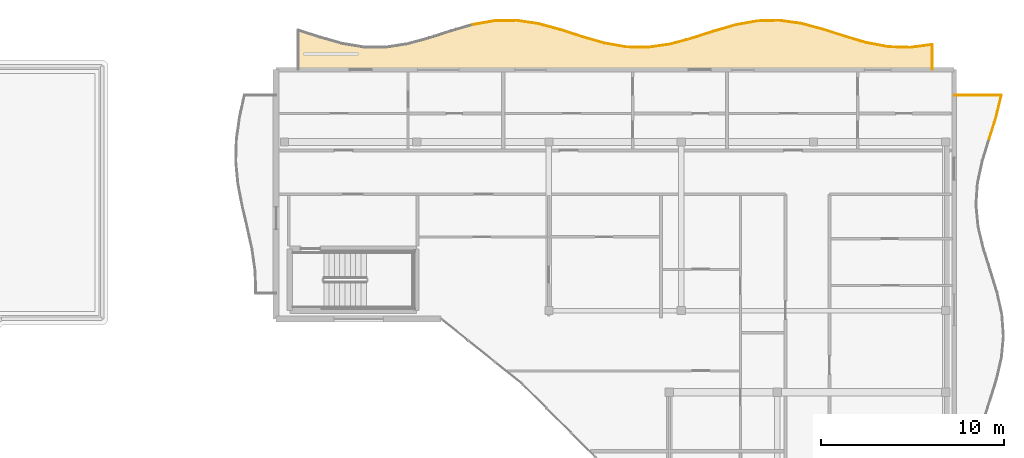
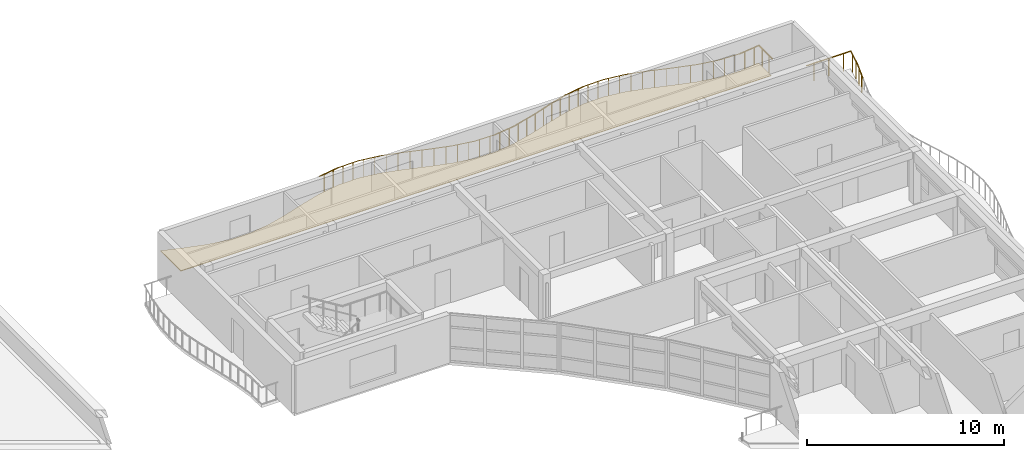
# One storey, part 18 of 18: 25 railings, 1 covering.
"""IFC4 building model written with IfcOpenShell, lengths in metres."""

from ifc_helpers import new_model, si_unit, direction, frame, origin, origin_2d, place, context, subcontext, project, spatial, polyline, circle, outline, extrude, material, layer, layer_set, type_object, element, save


model = new_model("IFC4")

# Units and contexts
model_context = context("Model", 3, precision=1e-05, world=origin(), true_north=direction((0.0, 1.0)))
body_context = subcontext(model_context, "Body", "Model", "MODEL_VIEW")
ifc_project = project(units=[si_unit("LENGTHUNIT", "METRE"), si_unit("AREAUNIT", "SQUARE_METRE"), si_unit("VOLUMEUNIT", "CUBIC_METRE"), si_unit("PLANEANGLEUNIT", "RADIAN"), si_unit("MASSUNIT", "GRAM", prefix="KILO")], contexts=[model_context])

# Site, building, storey
site_placement = place(None, origin())
site = spatial("IfcSite", under=ifc_project, at=site_placement, CompositionType="ELEMENT")
building_placement = place(site_placement, origin())
building = spatial("IfcBuilding", under=site, at=building_placement, Name="Keldmere Railside Commons", CompositionType="ELEMENT")
storey_placement = place(building_placement, frame((0.0, 0.0, 39.360107421875)))
storey = spatial("IfcBuildingStorey", under=building, at=storey_placement, Name="L12", CompositionType="ELEMENT", Elevation=39.360107421875)

# Railings
ifc_material_1 = material(Name="Steel F-24 (S235)", Category="steel")
railing_type = type_object("IfcRailingType", Name="Balcony & Terrace Steel Balustrade 1100", PredefinedType="BALUSTRADE", material=ifc_material_1)
railing_1_placement = place(storey_placement, frame((157.744873046875, 116.060302734375, 0.0)))
element("IfcRailing", 1, at=railing_1_placement, inside=storey, type_object=railing_type, Name="GR-1 GRD-L12-4553", PredefinedType="BALUSTRADE", context=body_context, shape_type="SweptSolid", body=[
    extrude(circle(Radius=0.02392578125, at=origin_2d()), frame((0.0, 0.0, 1.076171875), z_axis=(0.985446141528, 0.169987947065, 0.0), x_axis=(-0.169987947065, 0.985446141528, 0.0)), (0.0, 0.0, 1.0), 1.210693359375),
    extrude(circle(Radius=0.02099609375, at=origin_2d()), frame((0.29833984375, 0.051513671875, 0.0)), (0.0, 0.0, 1.0), 1.048095703125),
    extrude(circle(Radius=0.02099609375, at=origin_2d()), frame((0.894775390625, 0.154296875, 0.0)), (0.0, 0.0, 1.0), 1.048095703125),
])
railing_2_placement = place(storey_placement, frame((158.93798828125, 116.26611328125, 0.0)))
element("IfcRailing", 2, at=railing_2_placement, inside=storey, type_object=railing_type, Name="GR-1 GRD-L12-4554", PredefinedType="BALUSTRADE", context=body_context, shape_type="SweptSolid", body=[
    extrude(circle(Radius=0.02392578125, at=origin_2d()), frame((0.0, 0.0, 1.076171875), z_axis=(0.999911558842, 0.013299417091, 0.0), x_axis=(-0.013299417091, 0.999911558842, 0.0)), (0.0, 0.0, 1.0), 1.193115234375),
    extrude(circle(Radius=0.02099609375, at=origin_2d()), frame((0.29833984375, 0.00390625, 0.0)), (0.0, 0.0, 1.0), 1.048095703125),
    extrude(circle(Radius=0.02099609375, at=origin_2d()), frame((0.894775390625, 0.011962890625, 0.0)), (0.0, 0.0, 1.0), 1.048095703125),
])
railing_3_placement = place(storey_placement, frame((160.131103515625, 116.281982421875, 0.0)))
element("IfcRailing", 3, at=railing_3_placement, inside=storey, type_object=railing_type, Name="GR-1 GRD-L12-4555", PredefinedType="BALUSTRADE", context=body_context, shape_type="SweptSolid", body=[
    extrude(circle(Radius=0.02392578125, at=origin_2d()), frame((0.0, 0.0, 1.076171875), z_axis=(0.989085785428, -0.147340792263, 0.0), x_axis=(0.147340792263, 0.989085785428, 0.0)), (0.0, 0.0, 1.0), 1.206298828125),
    extrude(circle(Radius=0.02099609375, at=origin_2d()), frame((0.29833984375, -0.04443359375, 0.0)), (0.0, 0.0, 1.0), 1.048095703125),
    extrude(circle(Radius=0.02099609375, at=origin_2d()), frame((0.894775390625, -0.13330078125, 0.0)), (0.0, 0.0, 1.0), 1.048095703125),
])
railing_4_placement = place(storey_placement, frame((161.32421875, 116.104248046875, 0.0)))
element("IfcRailing", 4, at=railing_4_placement, inside=storey, type_object=railing_type, Name="GR-1 GRD-L12-4556", PredefinedType="BALUSTRADE", context=body_context, shape_type="SweptSolid", body=[
    extrude(circle(Radius=0.02392578125, at=origin_2d()), frame((0.0, 0.0, 1.076171875), z_axis=(0.964841248648, -0.262833340555, 0.0), x_axis=(0.262833340555, 0.964841248648, 0.0)), (0.0, 0.0, 1.0), 1.236328125),
    extrude(circle(Radius=0.02099609375, at=origin_2d()), frame((0.29833984375, -0.081298828125, 0.0)), (0.0, 0.0, 1.0), 1.048095703125),
    extrude(circle(Radius=0.02099609375, at=origin_2d()), frame((0.89453125, -0.24365234375, 0.0)), (0.0, 0.0, 1.0), 1.048095703125),
])
railing_5_placement = place(storey_placement, frame((162.51708984375, 115.779296875, 0.0)))
element("IfcRailing", 5, at=railing_5_placement, inside=storey, type_object=railing_type, Name="GR-1 GRD-L12-4557", PredefinedType="BALUSTRADE", context=body_context, shape_type="SweptSolid", body=[
    extrude(circle(Radius=0.02392578125, at=origin_2d()), frame((0.0, 0.0, 1.076171875), z_axis=(0.951563531952, -0.30745218272, 0.0), x_axis=(0.30745218272, 0.951563531952, 0.0)), (0.0, 0.0, 1.0), 1.25390625),
    extrude(circle(Radius=0.02099609375, at=origin_2d()), frame((0.29833984375, -0.096435546875, 0.0)), (0.0, 0.0, 1.0), 1.048095703125),
    extrude(circle(Radius=0.02099609375, at=origin_2d()), frame((0.894775390625, -0.2890625, 0.0)), (0.0, 0.0, 1.0), 1.048095703125),
])
railing_6_placement = place(storey_placement, frame((163.710205078125, 115.393798828125, 0.0)))
element("IfcRailing", 6, at=railing_6_placement, inside=storey, type_object=railing_type, Name="GR-1 GRD-L12-4558", PredefinedType="BALUSTRADE", context=body_context, shape_type="SweptSolid", body=[
    extrude(circle(Radius=0.02392578125, at=origin_2d()), frame((0.0, 0.0, 1.076171875), z_axis=(0.960860838118, -0.277031495991, 0.0), x_axis=(0.277031495991, 0.960860838118, 0.0)), (0.0, 0.0, 1.0), 1.24169921875),
    extrude(circle(Radius=0.02099609375, at=origin_2d()), frame((0.29833984375, -0.0859375, 0.0)), (0.0, 0.0, 1.0), 1.048095703125),
    extrude(circle(Radius=0.02099609375, at=origin_2d()), frame((0.894775390625, -0.258056640625, 0.0)), (0.0, 0.0, 1.0), 1.048095703125),
])
railing_7_placement = place(storey_placement, frame((164.9033203125, 115.0498046875, 0.0)))
element("IfcRailing", 7, at=railing_7_placement, inside=storey, type_object=railing_type, Name="GR-1 GRD-L12-4559", PredefinedType="BALUSTRADE", context=body_context, shape_type="SweptSolid", body=[
    extrude(circle(Radius=0.02392578125, at=origin_2d()), frame((0.0, 0.0, 1.076171875), z_axis=(0.984596430794, -0.174842410378, 0.0), x_axis=(0.174842410378, 0.984596430794, 0.0)), (0.0, 0.0, 1.0), 1.2119140625),
    extrude(circle(Radius=0.02099609375, at=origin_2d()), frame((0.29833984375, -0.052978515625, 0.0)), (0.0, 0.0, 1.0), 1.048095703125),
    extrude(circle(Radius=0.02099609375, at=origin_2d()), frame((0.89501953125, -0.158935546875, 0.0)), (0.0, 0.0, 1.0), 1.048095703125),
])
railing_8_placement = place(storey_placement, frame((166.0966796875, 114.837890625, 0.0)))
element("IfcRailing", 8, at=railing_8_placement, inside=storey, type_object=railing_type, Name="GR-1 GRD-L12-4560", PredefinedType="BALUSTRADE", context=body_context, shape_type="SweptSolid", body=[
    extrude(circle(Radius=0.02392578125, at=origin_2d()), frame((0.0, 0.0, 1.076171875), z_axis=(0.999818977197, -0.019026634925, 0.0), x_axis=(0.019026634925, 0.999818977197, 0.0)), (0.0, 0.0, 1.0), 1.193359375),
    extrude(circle(Radius=0.02099609375, at=origin_2d()), frame((0.29833984375, -0.005615234375, 0.0)), (0.0, 0.0, 1.0), 1.048095703125),
    extrude(circle(Radius=0.02099609375, at=origin_2d()), frame((0.894775390625, -0.01708984375, 0.0)), (0.0, 0.0, 1.0), 1.048095703125),
])
railing_9_placement = place(storey_placement, frame((167.289794921875, 114.815185546875, 0.0)))
element("IfcRailing", 9, at=railing_9_placement, inside=storey, type_object=railing_type, Name="GR-1 GRD-L12-4561", PredefinedType="BALUSTRADE", context=body_context, shape_type="SweptSolid", body=[
    extrude(circle(Radius=0.02392578125, at=origin_2d()), frame((0.0, 0.0, 1.076171875), z_axis=(0.989811297243, 0.142385377934, 0.0), x_axis=(-0.142385377934, 0.989811297243, 0.0)), (0.0, 0.0, 1.0), 1.205322265625),
    extrude(circle(Radius=0.02099609375, at=origin_2d()), frame((0.29833984375, 0.04296875, 0.0)), (0.0, 0.0, 1.0), 1.048095703125),
    extrude(circle(Radius=0.02099609375, at=origin_2d()), frame((0.894775390625, 0.128662109375, 0.0)), (0.0, 0.0, 1.0), 1.048095703125),
])
railing_10_placement = place(storey_placement, frame((168.48291015625, 114.98681640625, 0.0)))
element("IfcRailing", 10, at=railing_10_placement, inside=storey, type_object=railing_type, Name="GR-1 GRD-L12-4562", PredefinedType="BALUSTRADE", context=body_context, shape_type="SweptSolid", body=[
    extrude(circle(Radius=0.02392578125, at=origin_2d()), frame((0.0, 0.0, 1.076171875), z_axis=(0.965688235833, 0.259704122367, 0.0), x_axis=(-0.259704122367, 0.965688235833, 0.0)), (0.0, 0.0, 1.0), 1.2353515625),
    extrude(circle(Radius=0.02099609375, at=origin_2d()), frame((0.29833984375, 0.080078125, 0.0)), (0.0, 0.0, 1.0), 1.048095703125),
    extrude(circle(Radius=0.02099609375, at=origin_2d()), frame((0.89453125, 0.24072265625, 0.0)), (0.0, 0.0, 1.0), 1.048095703125),
])
railing_11_placement = place(storey_placement, frame((169.67578125, 115.3076171875, 0.0)))
element("IfcRailing", 11, at=railing_11_placement, inside=storey, type_object=railing_type, Name="GR-1 GRD-L12-4563", PredefinedType="BALUSTRADE", context=body_context, shape_type="SweptSolid", body=[
    extrude(circle(Radius=0.02392578125, at=origin_2d()), frame((0.0, 0.0, 1.076171875), z_axis=(0.951620484383, 0.307275859291, 0.0), x_axis=(-0.307275859291, 0.951620484383, 0.0)), (0.0, 0.0, 1.0), 1.253662109375),
    extrude(circle(Radius=0.02099609375, at=origin_2d()), frame((0.29833984375, 0.09619140625, 0.0)), (0.0, 0.0, 1.0), 1.048095703125),
    extrude(circle(Radius=0.02099609375, at=origin_2d()), frame((0.894775390625, 0.2890625, 0.0)), (0.0, 0.0, 1.0), 1.048095703125),
])
railing_12_placement = place(storey_placement, frame((170.868896484375, 115.69287109375, 0.0)))
element("IfcRailing", 12, at=railing_12_placement, inside=storey, type_object=railing_type, Name="GR-1 GRD-L12-4564", PredefinedType="BALUSTRADE", context=body_context, shape_type="SweptSolid", body=[
    extrude(circle(Radius=0.02392578125, at=origin_2d()), frame((0.0, 0.0, 1.076171875), z_axis=(0.960125327058, 0.279569948926, 0.0), x_axis=(-0.279569948926, 0.960125327058, 0.0)), (0.0, 0.0, 1.0), 1.24267578125),
    extrude(circle(Radius=0.02099609375, at=origin_2d()), frame((0.29833984375, 0.0869140625, 0.0)), (0.0, 0.0, 1.0), 1.048095703125),
    extrude(circle(Radius=0.02099609375, at=origin_2d()), frame((0.894775390625, 0.260498046875, 0.0)), (0.0, 0.0, 1.0), 1.048095703125),
])
railing_13_placement = place(storey_placement, frame((172.06201171875, 116.040283203125, 0.0)))
element("IfcRailing", 13, at=railing_13_placement, inside=storey, type_object=railing_type, Name="GR-1 GRD-L12-4565", PredefinedType="BALUSTRADE", context=body_context, shape_type="SweptSolid", body=[
    extrude(circle(Radius=0.02392578125, at=origin_2d()), frame((0.0, 0.0, 1.076171875), z_axis=(0.983818333052, 0.179168879971, 0.0), x_axis=(-0.179168879971, 0.983818333052, 0.0)), (0.0, 0.0, 1.0), 1.212646484375),
    extrude(circle(Radius=0.02099609375, at=origin_2d()), frame((0.29833984375, 0.05419921875, 0.0)), (0.0, 0.0, 1.0), 1.048095703125),
    extrude(circle(Radius=0.02099609375, at=origin_2d()), frame((0.894775390625, 0.1630859375, 0.0)), (0.0, 0.0, 1.0), 1.048095703125),
])
railing_14_placement = place(storey_placement, frame((173.255126953125, 116.257568359375, 0.0)))
element("IfcRailing", 14, at=railing_14_placement, inside=storey, type_object=railing_type, Name="GR-1 GRD-L12-4566", PredefinedType="BALUSTRADE", context=body_context, shape_type="SweptSolid", body=[
    extrude(circle(Radius=0.02392578125, at=origin_2d()), frame((0.0, 0.0, 1.076171875), z_axis=(0.999683415772, 0.025160847174, 0.0), x_axis=(-0.025160847174, 0.999683415772, 0.0)), (0.0, 0.0, 1.0), 1.193603515625),
    extrude(circle(Radius=0.02099609375, at=origin_2d()), frame((0.29833984375, 0.007568359375, 0.0)), (0.0, 0.0, 1.0), 1.048095703125),
    extrude(circle(Radius=0.02099609375, at=origin_2d()), frame((0.894775390625, 0.0224609375, 0.0)), (0.0, 0.0, 1.0), 1.048095703125),
])
railing_15_placement = place(storey_placement, frame((174.4482421875, 116.28759765625, 0.0)))
element("IfcRailing", 15, at=railing_15_placement, inside=storey, type_object=railing_type, Name="GR-1 GRD-L12-4567", PredefinedType="BALUSTRADE", context=body_context, shape_type="SweptSolid", body=[
    extrude(circle(Radius=0.02392578125, at=origin_2d()), frame((0.0, 0.0, 1.076171875), z_axis=(0.990512975226, -0.137419234132, 0.0), x_axis=(0.137419234132, 0.990512975226, 0.0)), (0.0, 0.0, 1.0), 1.20458984375),
    extrude(circle(Radius=0.02099609375, at=origin_2d()), frame((0.29833984375, -0.04150390625, 0.0)), (0.0, 0.0, 1.0), 1.048095703125),
    extrude(circle(Radius=0.02099609375, at=origin_2d()), frame((0.894775390625, -0.1240234375, 0.0)), (0.0, 0.0, 1.0), 1.048095703125),
])
railing_16_placement = place(storey_placement, frame((175.641357421875, 116.1220703125, 0.0)))
element("IfcRailing", 16, at=railing_16_placement, inside=storey, type_object=railing_type, Name="GR-1 GRD-L12-4568", PredefinedType="BALUSTRADE", context=body_context, shape_type="SweptSolid", body=[
    extrude(circle(Radius=0.02392578125, at=origin_2d()), frame((0.0, 0.0, 1.076171875), z_axis=(0.966490493728, -0.25670240656, 0.0), x_axis=(0.25670240656, 0.966490493728, 0.0)), (0.0, 0.0, 1.0), 1.234375),
    extrude(circle(Radius=0.02099609375, at=origin_2d()), frame((0.29833984375, -0.0791015625, 0.0)), (0.0, 0.0, 1.0), 1.048095703125),
    extrude(circle(Radius=0.02099609375, at=origin_2d()), frame((0.894775390625, -0.23779296875, 0.0)), (0.0, 0.0, 1.0), 1.048095703125),
])
railing_17_placement = place(storey_placement, frame((176.83447265625, 115.80517578125, 0.0)))
element("IfcRailing", 17, at=railing_17_placement, inside=storey, type_object=railing_type, Name="GR-1 GRD-L12-4569", PredefinedType="BALUSTRADE", context=body_context, shape_type="SweptSolid", body=[
    extrude(circle(Radius=0.02392578125, at=origin_2d()), frame((0.0, 0.0, 1.076171875), z_axis=(0.95173431164, -0.306923117484, 0.0), x_axis=(0.306923117484, 0.95173431164, 0.0)), (0.0, 0.0, 1.0), 1.253662109375),
    extrude(circle(Radius=0.02099609375, at=origin_2d()), frame((0.29833984375, -0.09619140625, 0.0)), (0.0, 0.0, 1.0), 1.048095703125),
    extrude(circle(Radius=0.02099609375, at=origin_2d()), frame((0.894775390625, -0.28857421875, 0.0)), (0.0, 0.0, 1.0), 1.048095703125),
])
railing_18_placement = place(storey_placement, frame((178.027587890625, 115.42041015625, 0.0)))
element("IfcRailing", 18, at=railing_18_placement, inside=storey, type_object=railing_type, Name="GR-1 GRD-L12-4570", PredefinedType="BALUSTRADE", context=body_context, shape_type="SweptSolid", body=[
    extrude(circle(Radius=0.02392578125, at=origin_2d()), frame((0.0, 0.0, 1.076171875), z_axis=(0.959543522474, -0.281560346067, 0.0), x_axis=(0.281560346067, 0.959543522474, 0.0)), (0.0, 0.0, 1.0), 1.243408203125),
    extrude(circle(Radius=0.02099609375, at=origin_2d()), frame((0.29833984375, -0.08740234375, 0.0)), (0.0, 0.0, 1.0), 1.048095703125),
    extrude(circle(Radius=0.02099609375, at=origin_2d()), frame((0.894775390625, -0.2626953125, 0.0)), (0.0, 0.0, 1.0), 1.048095703125),
])
railing_19_placement = place(storey_placement, frame((179.220703125, 115.0703125, 0.0)))
element("IfcRailing", 19, at=railing_19_placement, inside=storey, type_object=railing_type, Name="GR-1 GRD-L12-4571", PredefinedType="BALUSTRADE", context=body_context, shape_type="SweptSolid", body=[
    extrude(circle(Radius=0.02392578125, at=origin_2d()), frame((0.0, 0.0, 1.076171875), z_axis=(0.982919969548, -0.184033511794, 0.0), x_axis=(0.184033511794, 0.982919969548, 0.0)), (0.0, 0.0, 1.0), 1.2138671875),
    extrude(circle(Radius=0.02099609375, at=origin_2d()), frame((0.29833984375, -0.055908203125, 0.0)), (0.0, 0.0, 1.0), 1.048095703125),
    extrude(circle(Radius=0.02099609375, at=origin_2d()), frame((0.894775390625, -0.16748046875, 0.0)), (0.0, 0.0, 1.0), 1.048095703125),
])
railing_20_placement = place(storey_placement, frame((180.413818359375, 114.846923828125, 0.0)))
element("IfcRailing", 20, at=railing_20_placement, inside=storey, type_object=railing_type, Name="GR-1 GRD-L12-4572", PredefinedType="BALUSTRADE", context=body_context, shape_type="SweptSolid", body=[
    extrude(circle(Radius=0.02392578125, at=origin_2d()), frame((0.0, 0.0, 1.076171875), z_axis=(0.999522989005, -0.030883562787, 0.0), x_axis=(0.030883562787, 0.999522989005, 0.0)), (0.0, 0.0, 1.0), 1.193603515625),
    extrude(circle(Radius=0.02099609375, at=origin_2d()), frame((0.29833984375, -0.00927734375, 0.0)), (0.0, 0.0, 1.0), 1.048095703125),
    extrude(circle(Radius=0.02099609375, at=origin_2d()), frame((0.894775390625, -0.027587890625, 0.0)), (0.0, 0.0, 1.0), 1.048095703125),
])
railing_21_placement = place(storey_placement, frame((181.60693359375, 114.81005859375, 0.0)))
element("IfcRailing", 21, at=railing_21_placement, inside=storey, type_object=railing_type, Name="GR-1 GRD-L12-4573", PredefinedType="BALUSTRADE", context=body_context, shape_type="SweptSolid", body=[
    extrude(circle(Radius=0.02392578125, at=origin_2d()), frame((0.0, 0.0, 1.076171875), z_axis=(0.99121726897, 0.13224343347, 0.0), x_axis=(-0.13224343347, 0.99121726897, 0.0)), (0.0, 0.0, 1.0), 1.20361328125),
    extrude(circle(Radius=0.02099609375, at=origin_2d()), frame((0.29833984375, 0.039794921875, 0.0)), (0.0, 0.0, 1.0), 1.048095703125),
    extrude(circle(Radius=0.02099609375, at=origin_2d()), frame((0.894775390625, 0.119384765625, 0.0)), (0.0, 0.0, 1.0), 1.048095703125),
])
railing_22_placement = place(storey_placement, frame((182.800048828125, 114.96923828125, 0.0)))
element("IfcRailing", 22, at=railing_22_placement, inside=storey, type_object=railing_type, Name="GR-1 GRD-L12-4574", PredefinedType="BALUSTRADE", context=body_context, shape_type="SweptSolid", body=[
    extrude(circle(Radius=0.02392578125, at=origin_2d()), frame((0.0, 0.0, 1.076171875), z_axis=(0.0, -1.0, 0.0), x_axis=(1.0, 0.0, 0.0)), (0.0, 0.0, 1.0), 1.369140625),
    extrude(circle(Radius=0.02099609375, at=origin_2d()), frame((0.0, -0.34228515625, 0.0)), (0.0, 0.0, 1.0), 1.048095703125),
    extrude(circle(Radius=0.02099609375, at=origin_2d()), frame((0.0, -1.02685546875, 0.0)), (0.0, 0.0, 1.0), 1.048095703125),
])
railing_23_placement = place(storey_placement, frame((185.910888671875, 109.81005859375, 0.0)))
element("IfcRailing", 23, at=railing_23_placement, inside=storey, type_object=railing_type, Name="GR-1 GRD-L12-4635", PredefinedType="BALUSTRADE", context=body_context, shape_type="SweptSolid", body=[
    extrude(circle(Radius=0.02392578125, at=origin_2d()), frame((0.0, 0.0, 1.076171875), z_axis=(0.301933014235, 0.953329143011, 0.0), x_axis=(-0.953329143011, 0.301933014235, 0.0)), (0.0, 0.0, 1.0), 1.25341796875),
    extrude(circle(Radius=0.02099609375, at=origin_2d()), frame((0.0947265625, 0.298828125, 0.0)), (0.0, 0.0, 1.0), 1.048095703125),
    extrude(circle(Radius=0.02099609375, at=origin_2d()), frame((0.28369140625, 0.89599609375, 0.0)), (0.0, 0.0, 1.0), 1.048095703125),
])
railing_24_placement = place(storey_placement, frame((186.289306640625, 111.0048828125, 0.0)))
element("IfcRailing", 24, at=railing_24_placement, inside=storey, type_object=railing_type, Name="GR-1 GRD-L12-4636", PredefinedType="BALUSTRADE", context=body_context, shape_type="SweptSolid", body=[
    extrude(circle(Radius=0.02392578125, at=origin_2d()), frame((0.0, 0.0, 1.076171875), z_axis=(0.234349315323, 0.97215245636, 0.0), x_axis=(-0.97215245636, 0.234349315323, 0.0)), (0.0, 0.0, 1.0), 1.229248046875),
    extrude(circle(Radius=0.02099609375, at=origin_2d()), frame((0.072021484375, 0.298828125, 0.0)), (0.0, 0.0, 1.0), 1.048095703125),
    extrude(circle(Radius=0.02099609375, at=origin_2d()), frame((0.216064453125, 0.896240234375, 0.0)), (0.0, 0.0, 1.0), 1.048095703125),
])
railing_25_placement = place(storey_placement, frame((186.577392578125, 112.199951171875, 0.0)))
element("IfcRailing", 25, at=railing_25_placement, inside=storey, type_object=railing_type, Name="GR-1 GRD-L12-4637", PredefinedType="BALUSTRADE", context=body_context, shape_type="SweptSolid", body=[
    extrude(circle(Radius=0.02392578125, at=origin_2d()), frame((0.0, 0.0, 1.076171875), z_axis=(-1.0, 0.0, 0.0), x_axis=(0.0, -1.0, 0.0)), (0.0, 0.0, 1.0), 2.577392578125),
    extrude(circle(Radius=0.02099609375, at=origin_2d()), frame((-0.4296875, 0.0, 0.0)), (0.0, 0.0, 1.0), 1.048095703125),
    extrude(circle(Radius=0.02099609375, at=origin_2d()), frame((-1.28857421875, 0.0, 0.0)), (0.0, 0.0, 1.0), 1.048095703125),
    extrude(circle(Radius=0.02099609375, at=origin_2d()), frame((-2.14794921875, 0.0, 0.0)), (0.0, 0.0, 1.0), 1.048095703125),
])

# Covering
ifc_material_2 = material(Name="White Precast Concrete C35/45", Category="concrete")
ifc_layer = layer(ifc_material_2, 0.044921875, Name="White Architectural Balcony Ribbon Cladding 45")
ifc_layer_set = layer_set([ifc_layer], Name="White Precast Concrete C35/45")
covering_type = type_object("IfcCoveringType", Name="White Architectural Balcony Ribbon Cladding 45", PredefinedType="FLOORING", material=ifc_layer_set)
covering_placement = place(storey_placement, origin())
element("IfcCovering", 26, at=covering_placement, inside=storey, type_object=covering_type, Name="CLG-WB A L12 N White Balcony Ribbon", PredefinedType="FLOORING", context=body_context, shape_type="SweptSolid", body=[
    extrude(outline(polyline([(182.760009765625, 113.639892578125), (182.760009765625, 114.923583984375), (181.6123046875, 114.7705078125), (181.60888671875, 114.770263671875), (181.605712890625, 114.77001953125), (180.41259765625, 114.806884765625), (180.409423828125, 114.80712890625), (180.406494140625, 114.8076171875), (179.21337890625, 115.031005859375), (179.20947265625, 115.03173828125), (178.016357421875, 115.382080078125), (178.015380859375, 115.38232421875), (176.8232421875, 115.7666015625), (175.633544921875, 116.082763671875), (174.446044921875, 116.247314453125), (173.25927734375, 116.2177734375), (172.0712890625, 116.001220703125), (170.880615234375, 115.65478515625), (169.688232421875, 115.26953125), (169.686279296875, 115.26904296875), (168.4931640625, 114.9482421875), (168.488525390625, 114.947265625), (167.29541015625, 114.775390625), (167.292236328125, 114.775146484375), (167.288818359375, 114.775146484375), (166.095703125, 114.798095703125), (166.0927734375, 114.798095703125), (166.089599609375, 114.798583984375), (164.896484375, 115.01025390625), (164.892333984375, 115.01123046875), (163.69921875, 115.35546875), (163.697998046875, 115.355712890625), (162.505859375, 115.7412109375), (161.31591796875, 116.06494140625), (160.12841796875, 116.2421875), (158.941650390625, 116.22607421875), (157.753662109375, 116.021240234375), (156.5634765625, 115.680908203125), (155.370849609375, 115.29541015625), (155.369140625, 115.294921875), (154.176025390625, 114.96630859375), (154.171630859375, 114.965576171875), (152.978515625, 114.781494140625), (152.975341796875, 114.781005859375), (152.97216796875, 114.781005859375), (151.779052734375, 114.7900390625), (151.77587890625, 114.790283203125), (151.772705078125, 114.79052734375), (150.57958984375, 114.990234375), (150.5751953125, 114.9912109375), (149.382080078125, 115.3291015625), (149.380859375, 115.329345703125), (148.239990234375, 115.698486328125), (148.239990234375, 113.639892578125), (182.760009765625, 113.639892578125)])), origin(), (0.0, 0.0, 1.0), 0.044921875),
])

save(model, "model.ifc")
